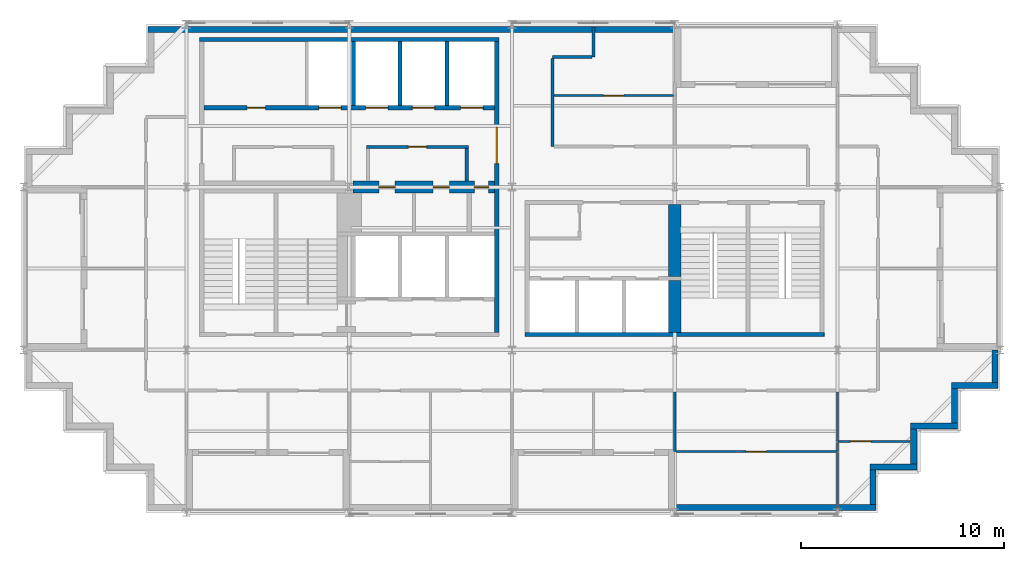
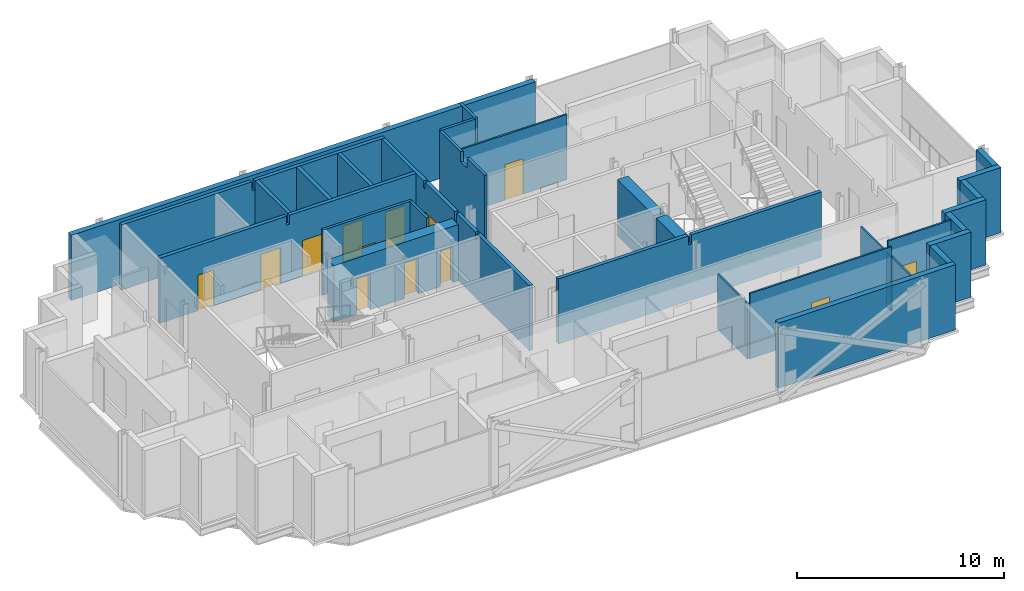
# One storey, part 6 of 9: 31 walls, 13 doors, 13 openings.
"""IFC4 building model written with IfcOpenShell, lengths in metres."""

from ifc_helpers import new_model, si_unit, direction, frame, frame_2d, origin, place, context, subcontext, project, spatial, polyline, rectangle, outline, extrude, material, layer, layer_set, type_object, element, fill, save


model = new_model("IFC4")

# Units and contexts
model_context = context("Model", 3, precision=1e-05, world=origin(), true_north=direction((0.0, 1.0)))
body_context = subcontext(model_context, "Body", "Model", "MODEL_VIEW")
ifc_project = project(units=[si_unit("LENGTHUNIT", "METRE"), si_unit("AREAUNIT", "SQUARE_METRE"), si_unit("VOLUMEUNIT", "CUBIC_METRE"), si_unit("PLANEANGLEUNIT", "RADIAN"), si_unit("MASSUNIT", "GRAM", prefix="KILO")], contexts=[model_context])

# Site, building, storey
site_placement = place(None, origin())
site = spatial("IfcSite", under=ifc_project, at=site_placement, CompositionType="ELEMENT")
building_placement = place(site_placement, origin())
building = spatial("IfcBuilding", under=site, at=building_placement, Name="Immortelle Media Tower", CompositionType="ELEMENT")
storey_placement = place(building_placement, frame((0.0, 0.0, 287.0)))
storey = spatial("IfcBuildingStorey", under=building, at=storey_placement, Name="L63", CompositionType="ELEMENT", Elevation=287.0)

# Wall, openings, doors
ifc_material_1 = material(Name="Fire-rated masonry blockwork", Category="masonry")
ifc_layer_1 = layer(ifc_material_1, 0.60009765625)
ifc_layer_set_1 = layer_set([ifc_layer_1], Name="Fire-rated masonry blockwork")
wall_type_1 = type_object("IfcWallType", Name="Core grid-line wall 600", PredefinedType="PARTITIONING", material=ifc_layer_set_1)
wall_1_placement = place(storey_placement, frame((16.19140625, 16.0, 0.0), z_axis=(0.0, 0.0, 1.0), x_axis=(1.0, 0.0, 0.0)))
wall_1 = element("IfcWall", 1, at=wall_1_placement, inside=storey, type_object=wall_type_1, Name="Core grid-line wall SW", PredefinedType="PARTITIONING", context=body_context, shape_type="SweptSolid", body=[
    extrude(rectangle(XDim=6.95849609375, YDim=0.60009765625, at=frame_2d((3.479248046875, 0.0))), origin(), (0.0, 0.0, 1.0), 3.318115234375),
])
opening_1_placement = place(wall_1_placement, frame((2.05859375, 0.0, 0.0), z_axis=(0.0, 0.0, 1.0), x_axis=(-1.0, 0.0, 0.0)))
opening_1 = element("IfcOpeningElement", 2, at=opening_1_placement, cuts=wall_1, Name="Opening X5-K010", PredefinedType="OPENING", context=body_context, shape_type="SweptSolid", body=[
    extrude(rectangle(XDim=0.800048828125, YDim=2.10009765625, at=frame_2d((0.39990234375, 1.050048828125))), frame((0.0, 0.31005859375, 0.0), z_axis=(0.0, -1.0, 0.0), x_axis=(1.0, 0.0, 0.0)), (0.0, 0.0, 1.0), 0.6201171875),
])
opening_2_placement = place(wall_1_placement, frame((4.733642578125, 0.0, 0.0), z_axis=(0.0, 0.0, 1.0), x_axis=(-1.0, 0.0, 0.0)))
opening_2 = element("IfcOpeningElement", 3, at=opening_2_placement, cuts=wall_1, Name="Opening X5-K015", PredefinedType="OPENING", context=body_context, shape_type="SweptSolid", body=[
    extrude(rectangle(XDim=0.800048828125, YDim=2.10009765625, at=frame_2d((0.39990234375, 1.050048828125))), frame((0.0, 0.31005859375, 0.0), z_axis=(0.0, -1.0, 0.0), x_axis=(1.0, 0.0, 0.0)), (0.0, 0.0, 1.0), 0.6201171875),
])
opening_3_placement = place(wall_1_placement, frame((6.658447265625, 0.0, 0.0), z_axis=(0.0, 0.0, 1.0), x_axis=(-1.0, 0.0, 0.0)))
opening_3 = element("IfcOpeningElement", 4, at=opening_3_placement, cuts=wall_1, Name="Opening X5-K018", PredefinedType="OPENING", context=body_context, shape_type="SweptSolid", body=[
    extrude(rectangle(XDim=0.699951171875, YDim=2.10009765625, at=frame_2d((0.35009765625, 1.050048828125))), frame((0.0, 0.31005859375, 0.0), z_axis=(0.0, -1.0, 0.0), x_axis=(1.0, 0.0, 0.0)), (0.0, 0.0, 1.0), 0.6201171875),
])
ifc_material_2 = material(Name="Galvanised steel door leaf and frame ASTM A653", Category="steel")
door_type_1 = type_object("IfcDoorType", Name="Service door 700 x 2100", OperationType="NOTDEFINED", PredefinedType="NOTDEFINED", material=ifc_material_2)
door_1_placement = place(opening_3_placement, origin())
door_1 = element("IfcDoor", 5, at=door_1_placement, inside=storey, type_object=door_type_1, Name="Service X5-K018", OperationType="SINGLE_SWING_RIGHT", OverallHeight=2.10009765625, OverallWidth=0.699951171875, PredefinedType="NOTDEFINED", context=body_context, shape_type="SweptSolid", body=[
    extrude(rectangle(XDim=0.699951171875, YDim=2.10009765625, at=frame_2d((0.35009765625, 1.050048828125))), frame((0.0, 0.02490234375, 0.0), z_axis=(0.0, -1.0, 0.0), x_axis=(1.0, 0.0, 0.0)), (0.0, 0.0, 1.0), 0.050048828125),
])
fill(opening_3, door_1)
ifc_material_3 = material(Name="Timber", Category="wood")
door_type_2 = type_object("IfcDoorType", Name="Toilet door 800 x 2100", OperationType="NOTDEFINED", PredefinedType="NOTDEFINED", material=ifc_material_3)
door_2_placement = place(opening_1_placement, origin())
door_2 = element("IfcDoor", 6, at=door_2_placement, inside=storey, type_object=door_type_2, Name="Toilet X5-K010", OperationType="SINGLE_SWING_LEFT", OverallHeight=2.10009765625, OverallWidth=0.800048828125, PredefinedType="NOTDEFINED", context=body_context, shape_type="SweptSolid", body=[
    extrude(rectangle(XDim=0.800048828125, YDim=2.10009765625, at=frame_2d((0.39990234375, 1.050048828125))), frame((0.0, 0.02490234375, 0.0), z_axis=(0.0, -1.0, 0.0), x_axis=(1.0, 0.0, 0.0)), (0.0, 0.0, 1.0), 0.050048828125),
])
fill(opening_1, door_2)
door_3_placement = place(opening_2_placement, origin())
door_3 = element("IfcDoor", 7, at=door_3_placement, inside=storey, type_object=door_type_2, Name="Toilet X5-K015", OperationType="SINGLE_SWING_RIGHT", OverallHeight=2.10009765625, OverallWidth=0.800048828125, PredefinedType="NOTDEFINED", context=body_context, shape_type="SweptSolid", body=[
    extrude(rectangle(XDim=0.800048828125, YDim=2.10009765625, at=frame_2d((0.39990234375, 1.050048828125))), frame((0.0, 0.02490234375, 0.0), z_axis=(0.0, -1.0, 0.0), x_axis=(1.0, 0.0, 0.0)), (0.0, 0.0, 1.0), 0.050048828125),
])
fill(opening_2, door_3)

# Wall, opening, door
ifc_material_4 = material(Name="Fire-rated gypsum board", Category="gypsum")
ifc_layer_2 = layer(ifc_material_4, 0.02490234375)
ifc_material_5 = material(Name="Steel ASTM A653 SS Gr 50 stud frame with mineral wool", Category="steel")
ifc_layer_3 = layer(ifc_material_5, 0.10009765625)
ifc_layer_4 = layer(ifc_material_4, 0.02490234375)
ifc_layer_set_2 = layer_set([ifc_layer_2, ifc_layer_3, ifc_layer_4], Name="Steel ASTM A653 SS Gr 50 stud frame with mineral wool")
wall_type_2 = type_object("IfcWallType", Name="Core partition 150", PredefinedType="PARTITIONING", material=ifc_layer_set_2)
wall_2_placement = place(storey_placement, frame((16.85009765625, 17.97509765625, 0.0), z_axis=(0.0, 0.0, 1.0), x_axis=(1.0, 0.0, 0.0)))
wall_2 = element("IfcWall", 8, at=wall_2_placement, inside=storey, type_object=wall_type_2, Name="Core partition SW", PredefinedType="PARTITIONING", context=body_context, shape_type="SweptSolid", body=[
    extrude(rectangle(XDim=5.0, YDim=0.14990234375, at=frame_2d((2.5, 0.0))), origin(), (0.0, 0.0, 1.0), 3.85009765625),
])
opening_4_placement = place(wall_2_placement, frame((2.949951171875, 0.0, 0.0), z_axis=(0.0, 0.0, 1.0), x_axis=(-1.0, 0.0, 0.0)))
opening_4 = element("IfcOpeningElement", 9, at=opening_4_placement, cuts=wall_2, Name="Opening X5-K011", PredefinedType="OPENING", context=body_context, shape_type="SweptSolid", body=[
    extrude(rectangle(XDim=0.89990234375, YDim=2.10009765625, at=frame_2d((0.449951171875, 1.050048828125))), frame((0.0, 0.0849609375, 0.0), z_axis=(0.0, -1.0, 0.0), x_axis=(1.0, 0.0, 0.0)), (0.0, 0.0, 1.0), 0.169921875),
])
door_type_3 = type_object("IfcDoorType", Name="Room door 900 x 2100", OperationType="NOTDEFINED", PredefinedType="NOTDEFINED", material=ifc_material_3)
door_4_placement = place(opening_4_placement, origin())
door_4 = element("IfcDoor", 10, at=door_4_placement, inside=storey, type_object=door_type_3, Name="Room X5-K011", OperationType="SINGLE_SWING_RIGHT", OverallHeight=2.10009765625, OverallWidth=0.89990234375, PredefinedType="NOTDEFINED", context=body_context, shape_type="SweptSolid", body=[
    extrude(rectangle(XDim=0.89990234375, YDim=2.10009765625, at=frame_2d((0.449951171875, 1.050048828125))), frame((0.0, 0.02490234375, 0.0), z_axis=(0.0, -1.0, 0.0), x_axis=(1.0, 0.0, 0.0)), (0.0, 0.0, 1.0), 0.050048828125),
])
fill(opening_4, door_4)

# Walls
wall_3_placement = place(storey_placement, frame((21.77490234375, 16.300048828125, 0.0), z_axis=(0.0, 0.0, 1.0), x_axis=(0.0, 1.0, 0.0)))
element("IfcWall", 11, at=wall_3_placement, inside=storey, type_object=wall_type_2, Name="Core partition SW", PredefinedType="PARTITIONING", context=body_context, shape_type="SweptSolid", body=[
    extrude(rectangle(XDim=1.599853515625, YDim=0.14990234375, at=frame_2d((0.7998046875, 0.0))), origin(), (0.0, 0.0, 1.0), 3.85009765625),
])
ifc_layer_5 = layer(ifc_material_4, 0.03759765625)
ifc_layer_6 = layer(ifc_material_5, 0.125)
ifc_layer_7 = layer(ifc_material_4, 0.03759765625)
ifc_layer_set_3 = layer_set([ifc_layer_5, ifc_layer_6, ifc_layer_7], Name="Steel ASTM A653 SS Gr 50 stud frame with mineral wool")
wall_type_3 = type_object("IfcWallType", Name="Core shaft wall 200", PredefinedType="PARTITIONING", material=ifc_layer_set_3)
wall_4_placement = place(storey_placement, frame((8.64990234375, 23.25, 0.0), z_axis=(0.0, 0.0, 1.0), x_axis=(1.0, 0.0, 0.0)))
element("IfcWall", 12, at=wall_4_placement, inside=storey, type_object=wall_type_3, Name="Core shaft wall SW", PredefinedType="PARTITIONING", context=body_context, shape_type="SweptSolid", body=[
    extrude(outline(polyline([(0.0, 0.0), (14.7001953125, 0.0), (14.699951171875, 3.85009765625), (7.4375, 3.85009765625), (7.4365234375, 3.318115234375), (7.263427734375, 3.318115234375), (7.262451171875, 3.85009765625), (0.0, 3.85009765625), (0.0, 0.0)])), frame((0.0, 0.10009765625, 0.0), z_axis=(0.0, -1.0, 0.0), x_axis=(1.0, 0.0, 0.0)), (0.0, 0.0, 1.0), 0.199951171875),
])

# Wall, openings, doors
wall_5_placement = place(storey_placement, frame((8.85009765625, 19.89990234375, 0.0), z_axis=(0.0, 0.0, 1.0), x_axis=(1.0, 0.0, 0.0)))
wall_5 = element("IfcWall", 13, at=wall_5_placement, inside=storey, type_object=wall_type_3, Name="Core shaft wall SW", PredefinedType="PARTITIONING", context=body_context, shape_type="SweptSolid", body=[
    extrude(outline(polyline([(0.0, 0.0), (14.2998046875, 0.0), (14.300048828125, 3.85009765625), (7.237548828125, 3.85009765625), (7.236572265625, 3.318115234375), (7.0634765625, 3.318115234375), (7.0625, 3.85009765625), (0.0, 3.85009765625), (0.0, 0.0)])), frame((0.0, 0.10009765625, 0.0), z_axis=(0.0, -1.0, 0.0), x_axis=(1.0, 0.0, 0.0)), (0.0, 0.0, 1.0), 0.199951171875),
])
opening_5_placement = place(wall_5_placement, frame((2.125, 0.0, 0.0)))
opening_5 = element("IfcOpeningElement", 14, at=opening_5_placement, cuts=wall_5, Name="Opening X5-K003", PredefinedType="OPENING", context=body_context, shape_type="SweptSolid", body=[
    extrude(rectangle(XDim=0.89990234375, YDim=2.10009765625, at=frame_2d((0.449951171875, 1.050048828125))), frame((0.0, 0.10986328125, 0.0), z_axis=(0.0, -1.0, 0.0), x_axis=(1.0, 0.0, 0.0)), (0.0, 0.0, 1.0), 0.219970703125),
])
opening_6_placement = place(wall_5_placement, frame((5.64990234375, 0.0, 0.0)))
opening_6 = element("IfcOpeningElement", 15, at=opening_6_placement, cuts=wall_5, Name="Opening LD", PredefinedType="OPENING", context=body_context, shape_type="SweptSolid", body=[
    extrude(rectangle(XDim=1.10009765625, YDim=2.10009765625, at=frame_2d((0.550048828125, 1.050048828125))), frame((0.0, 0.10986328125, 0.0), z_axis=(0.0, -1.0, 0.0), x_axis=(1.0, 0.0, 0.0)), (0.0, 0.0, 1.0), 0.219970703125),
])
opening_7_placement = place(wall_5_placement, frame((7.949951171875, 0.0, 0.0)))
opening_7 = element("IfcOpeningElement", 16, at=opening_7_placement, cuts=wall_5, Name="Opening LD", PredefinedType="OPENING", context=body_context, shape_type="SweptSolid", body=[
    extrude(rectangle(XDim=1.10009765625, YDim=2.10009765625, at=frame_2d((0.550048828125, 1.050048828125))), frame((0.0, 0.10986328125, 0.0), z_axis=(0.0, -1.0, 0.0), x_axis=(1.0, 0.0, 0.0)), (0.0, 0.0, 1.0), 0.219970703125),
])
opening_8_placement = place(wall_5_placement, frame((10.25, 0.0, 0.0)))
opening_8 = element("IfcOpeningElement", 17, at=opening_8_placement, cuts=wall_5, Name="Opening LD", PredefinedType="OPENING", context=body_context, shape_type="SweptSolid", body=[
    extrude(rectangle(XDim=1.10009765625, YDim=2.10009765625, at=frame_2d((0.550048828125, 1.050048828125))), frame((0.0, 0.10986328125, 0.0), z_axis=(0.0, -1.0, 0.0), x_axis=(1.0, 0.0, 0.0)), (0.0, 0.0, 1.0), 0.219970703125),
])
opening_9_placement = place(wall_5_placement, frame((12.625, 0.0, 0.0)))
opening_9 = element("IfcOpeningElement", 18, at=opening_9_placement, cuts=wall_5, Name="Opening LD", PredefinedType="OPENING", context=body_context, shape_type="SweptSolid", body=[
    extrude(rectangle(XDim=1.10009765625, YDim=2.10009765625, at=frame_2d((0.550048828125, 1.050048828125))), frame((0.0, 0.10986328125, 0.0), z_axis=(0.0, -1.0, 0.0), x_axis=(1.0, 0.0, 0.0)), (0.0, 0.0, 1.0), 0.219970703125),
])
ifc_material_6 = material(Name="Stainless steel AISI 304", Category="steel")
door_type_4 = type_object("IfcDoorType", Name="Landing door 1100 x 2100", OperationType="SLIDING_TO_LEFT", PredefinedType="NOTDEFINED", material=ifc_material_6)
door_5_placement = place(opening_6_placement, origin())
door_5 = element("IfcDoor", 19, at=door_5_placement, inside=storey, type_object=door_type_4, Name="Landing door HR1 L63", OperationType="SLIDING_TO_LEFT", OverallHeight=2.10009765625, OverallWidth=1.10009765625, PredefinedType="NOTDEFINED", context=body_context, shape_type="SweptSolid", body=[
    extrude(rectangle(XDim=1.10009765625, YDim=2.10009765625, at=frame_2d((0.550048828125, 1.050048828125))), frame((0.0, 0.02490234375, 0.0), z_axis=(0.0, -1.0, 0.0), x_axis=(1.0, 0.0, 0.0)), (0.0, 0.0, 1.0), 0.050048828125),
])
fill(opening_6, door_5)
door_6_placement = place(opening_7_placement, origin())
door_6 = element("IfcDoor", 20, at=door_6_placement, inside=storey, type_object=door_type_4, Name="Landing door HR2 L63", OperationType="SLIDING_TO_LEFT", OverallHeight=2.10009765625, OverallWidth=1.10009765625, PredefinedType="NOTDEFINED", context=body_context, shape_type="SweptSolid", body=[
    extrude(rectangle(XDim=1.10009765625, YDim=2.10009765625, at=frame_2d((0.550048828125, 1.050048828125))), frame((0.0, 0.02490234375, 0.0), z_axis=(0.0, -1.0, 0.0), x_axis=(1.0, 0.0, 0.0)), (0.0, 0.0, 1.0), 0.050048828125),
])
fill(opening_7, door_6)
door_7_placement = place(opening_8_placement, origin())
door_7 = element("IfcDoor", 21, at=door_7_placement, inside=storey, type_object=door_type_4, Name="Landing door HR3 L63", OperationType="SLIDING_TO_LEFT", OverallHeight=2.10009765625, OverallWidth=1.10009765625, PredefinedType="NOTDEFINED", context=body_context, shape_type="SweptSolid", body=[
    extrude(rectangle(XDim=1.10009765625, YDim=2.10009765625, at=frame_2d((0.550048828125, 1.050048828125))), frame((0.0, 0.02490234375, 0.0), z_axis=(0.0, -1.0, 0.0), x_axis=(1.0, 0.0, 0.0)), (0.0, 0.0, 1.0), 0.050048828125),
])
fill(opening_8, door_7)
door_8_placement = place(opening_9_placement, origin())
door_8 = element("IfcDoor", 22, at=door_8_placement, inside=storey, type_object=door_type_4, Name="Landing door HR4 L63", OperationType="SLIDING_TO_LEFT", OverallHeight=2.10009765625, OverallWidth=1.10009765625, PredefinedType="NOTDEFINED", context=body_context, shape_type="SweptSolid", body=[
    extrude(rectangle(XDim=1.10009765625, YDim=2.10009765625, at=frame_2d((0.550048828125, 1.050048828125))), frame((0.0, 0.02490234375, 0.0), z_axis=(0.0, -1.0, 0.0), x_axis=(1.0, 0.0, 0.0)), (0.0, 0.0, 1.0), 0.050048828125),
])
fill(opening_9, door_8)
door_9_placement = place(opening_5_placement, origin())
door_9 = element("IfcDoor", 23, at=door_9_placement, inside=storey, type_object=door_type_3, Name="Room X5-K003", OperationType="SINGLE_SWING_RIGHT", OverallHeight=2.10009765625, OverallWidth=0.89990234375, PredefinedType="NOTDEFINED", context=body_context, shape_type="SweptSolid", body=[
    extrude(rectangle(XDim=0.89990234375, YDim=2.10009765625, at=frame_2d((0.449951171875, 1.050048828125))), frame((0.0, 0.02490234375, 0.0), z_axis=(0.0, -1.0, 0.0), x_axis=(1.0, 0.0, 0.0)), (0.0, 0.0, 1.0), 0.050048828125),
])
fill(opening_5, door_9)

# Walls
for number, where, z_axis, x_axis, name in (
    (24, (16.199951171875, 20.0, 0.0), (0.0, 0.0, 1.0), (0.0, 1.0, 0.0), "Core shaft wall SW"),
    (25, (18.5, 20.0, 0.0), (0.0, 0.0, 1.0), (0.0, 1.0, 0.0), "Core shaft wall SW"),
    (26, (20.800048828125, 20.0, 0.0), (0.0, 0.0, 1.0), (0.0, 1.0, 0.0), "Core shaft wall SW"),
):
    element("IfcWall", number, at=place(storey_placement, frame(where, z_axis=z_axis, x_axis=x_axis)), inside=storey, type_object=wall_type_3, Name=name, PredefinedType="PARTITIONING", context=body_context, shape_type="SweptSolid", body=[
        extrude(rectangle(XDim=3.14990234375, YDim=0.199951171875, at=frame_2d((1.574951171875, 0.0))), origin(), (0.0, 0.0, 1.0), 3.85009765625),
    ])

# Wall, opening, door
wall_6_placement = place(storey_placement, frame((23.25, 8.85009765625, 0.0), z_axis=(0.0, 0.0, 1.0), x_axis=(0.0, 1.0, 0.0)))
wall_6 = element("IfcWall", 27, at=wall_6_placement, inside=storey, type_object=wall_type_3, Name="Core shaft wall SW", PredefinedType="PARTITIONING", context=body_context, shape_type="SweptSolid", body=[
    extrude(outline(polyline([(0.0, 0.0), (14.2998046875, 0.0), (14.300048828125, 3.85009765625), (10.22509765625, 3.85009765625), (10.22412109375, 3.43994140625), (10.075927734375, 3.43994140625), (10.074951171875, 3.85009765625), (7.237548828125, 3.85009765625), (7.236572265625, 3.318115234375), (7.0634765625, 3.318115234375), (7.0625, 3.85009765625), (5.22509765625, 3.85009765625), (5.22412109375, 3.43994140625), (5.075927734375, 3.43994140625), (5.074951171875, 3.85009765625), (0.0, 3.85009765625), (0.0, 0.0)])), frame((0.0, 0.10009765625, 0.0), z_axis=(0.0, -1.0, 0.0), x_axis=(1.0, 0.0, 0.0)), (0.0, 0.0, 1.0), 0.199951171875),
])
opening_10_placement = place(wall_6_placement, frame((8.300048828125, 0.0, 0.0)))
opening_10 = element("IfcOpeningElement", 28, at=opening_10_placement, cuts=wall_6, Name="Opening X5-K019", PredefinedType="OPENING", context=body_context, shape_type="SweptSolid", body=[
    extrude(rectangle(XDim=1.800048828125, YDim=2.10009765625, at=frame_2d((0.89990234375, 1.050048828125))), frame((0.0, 0.10986328125, 0.0), z_axis=(0.0, -1.0, 0.0), x_axis=(1.0, 0.0, 0.0)), (0.0, 0.0, 1.0), 0.219970703125),
])
door_type_5 = type_object("IfcDoorType", Name="Lift lobby door 1800 x 2100", OperationType="DOUBLE_DOOR_SINGLE_SWING", PredefinedType="NOTDEFINED", material=ifc_material_2)
door_10_placement = place(opening_10_placement, origin())
door_10 = element("IfcDoor", 29, at=door_10_placement, inside=storey, type_object=door_type_5, Name="Lift lobby X5-K019", OperationType="DOUBLE_DOOR_SINGLE_SWING", OverallHeight=2.10009765625, OverallWidth=1.800048828125, PredefinedType="NOTDEFINED", context=body_context, shape_type="SweptSolid", body=[
    extrude(rectangle(XDim=1.800048828125, YDim=2.10009765625, at=frame_2d((0.89990234375, 1.050048828125))), frame((0.0, 0.02490234375, 0.0), z_axis=(0.0, -1.0, 0.0), x_axis=(1.0, 0.0, 0.0)), (0.0, 0.0, 1.0), 0.050048828125),
])
fill(opening_10, door_10)

# Walls
ifc_layer_8 = layer(ifc_material_4, 0.012451171875)
ifc_layer_9 = layer(ifc_material_5, 0.125)
ifc_layer_10 = layer(ifc_material_4, 0.012451171875)
ifc_layer_set_4 = layer_set([ifc_layer_8, ifc_layer_9, ifc_layer_10], Name="Steel ASTM A653 SS Gr 50 stud frame with mineral wool")
wall_type_4 = type_object("IfcWallType", Name="Corridor wall 150", PredefinedType="PARTITIONING", material=ifc_layer_set_4)
wall_7_placement = place(storey_placement, frame((26.0, 18.0, 0.0), z_axis=(0.0, 0.0, 1.0), x_axis=(0.0, 1.0, 0.0)))
element("IfcWall", 30, at=wall_7_placement, inside=storey, type_object=wall_type_4, Name="Partition L63-027", PredefinedType="PARTITIONING", context=body_context, shape_type="SweptSolid", body=[
    extrude(outline(polyline([(0.0, 0.0), (4.324951171875, 0.0), (4.324951171875, 3.85009765625), (2.300048828125, 3.85009765625), (2.298095703125, 3.238037109375), (1.701904296875, 3.238037109375), (1.699951171875, 3.85009765625), (0.0, 3.85009765625), (0.0, 0.0)])), frame((0.0, 0.074951171875, 0.0), z_axis=(0.0, -1.0, 0.0), x_axis=(1.0, 0.0, 0.0)), (0.0, 0.0, 1.0), 0.14990234375),
])
wall_8_placement = place(storey_placement, frame((26.0, 22.39990234375, 0.0), z_axis=(0.0, 0.0, 1.0), x_axis=(1.0, 0.0, 0.0)))
element("IfcWall", 31, at=wall_8_placement, inside=storey, type_object=wall_type_4, Name="Partition L63-036", PredefinedType="PARTITIONING", context=body_context, shape_type="SweptSolid", body=[
    extrude(rectangle(XDim=1.925048828125, YDim=0.14990234375, at=frame_2d((0.96240234375, 0.0))), origin(), (0.0, 0.0, 1.0), 3.85009765625),
])
wall_9_placement = place(storey_placement, frame((28.0, 22.39990234375, 0.0), z_axis=(0.0, 0.0, 1.0), x_axis=(0.0, 1.0, 0.0)))
element("IfcWall", 32, at=wall_9_placement, inside=storey, type_object=wall_type_4, Name="Partition L63-037", PredefinedType="PARTITIONING", context=body_context, shape_type="SweptSolid", body=[
    extrude(rectangle(XDim=1.47021484375, YDim=0.14990234375, at=frame_2d((0.735107421875, 0.0))), origin(), (0.0, 0.0, 1.0), 3.85009765625),
])
ifc_material_7 = material(Name="Pale aluminium cladding panel", Category="aluminium")
ifc_layer_11 = layer(ifc_material_7, 0.030029296875)
ifc_layer_12 = layer(ifc_material_5, 0.257568359375)
ifc_material_8 = material(Name="Moisture-resistant gypsum board", Category="gypsum")
ifc_layer_13 = layer(ifc_material_8, 0.012451171875)
ifc_layer_set_5 = layer_set([ifc_layer_11, ifc_layer_12, ifc_layer_13], Name="Steel ASTM A653 SS Gr 50 stud frame with mineral wool")
wall_type_5 = type_object("IfcWallType", Name="Facade wall 300", PredefinedType="SOLIDWALL", material=ifc_layer_set_5)
wall_10_placement = place(storey_placement, frame((32.0, 0.25, 0.0), z_axis=(0.0, 0.0, 1.0), x_axis=(1.0, 0.0, 0.0)))
element("IfcWall", 33, at=wall_10_placement, inside=storey, type_object=wall_type_5, Name="Facade wall L63 S6", PredefinedType="SOLIDWALL", context=body_context, shape_type="SweptSolid", body=[
    extrude(rectangle(XDim=9.89990234375, YDim=0.300048828125, at=frame_2d((4.949951171875, 0.0))), origin(), (0.0, 0.0, 1.0), 3.85009765625),
])
wall_11_placement = place(storey_placement, frame((41.75, 0.39990234375, 0.0), z_axis=(0.0, 0.0, 1.0), x_axis=(0.0, 1.0, 0.0)))
element("IfcWall", 34, at=wall_11_placement, inside=storey, type_object=wall_type_5, Name="Facade wall L63 E7", PredefinedType="SOLIDWALL", context=body_context, shape_type="SweptSolid", body=[
    extrude(rectangle(XDim=1.7001953125, YDim=0.300048828125, at=frame_2d((0.85009765625, 0.0))), origin(), (0.0, 0.0, 1.0), 3.85009765625),
])
wall_12_placement = place(storey_placement, frame((41.60009765625, 2.25, 0.0), z_axis=(0.0, 0.0, 1.0), x_axis=(1.0, 0.0, 0.0)))
element("IfcWall", 35, at=wall_12_placement, inside=storey, type_object=wall_type_5, Name="Facade wall L63 S8", PredefinedType="SOLIDWALL", context=body_context, shape_type="SweptSolid", body=[
    extrude(rectangle(XDim=2.2998046875, YDim=0.300048828125, at=frame_2d((1.14990234375, 0.0))), origin(), (0.0, 0.0, 1.0), 3.85009765625),
])
wall_13_placement = place(storey_placement, frame((43.75, 2.39990234375, 0.0), z_axis=(0.0, 0.0, 1.0), x_axis=(0.0, 1.0, 0.0)))
element("IfcWall", 36, at=wall_13_placement, inside=storey, type_object=wall_type_5, Name="Facade wall L63 E9", PredefinedType="SOLIDWALL", context=body_context, shape_type="SweptSolid", body=[
    extrude(rectangle(XDim=1.7001953125, YDim=0.300048828125, at=frame_2d((0.85009765625, 0.0))), origin(), (0.0, 0.0, 1.0), 3.85009765625),
])
wall_14_placement = place(storey_placement, frame((43.60009765625, 4.25, 0.0), z_axis=(0.0, 0.0, 1.0), x_axis=(1.0, 0.0, 0.0)))
element("IfcWall", 37, at=wall_14_placement, inside=storey, type_object=wall_type_5, Name="Facade wall L63 S10", PredefinedType="SOLIDWALL", context=body_context, shape_type="SweptSolid", body=[
    extrude(rectangle(XDim=2.2998046875, YDim=0.300048828125, at=frame_2d((1.14990234375, 0.0))), origin(), (0.0, 0.0, 1.0), 3.85009765625),
])
wall_15_placement = place(storey_placement, frame((45.75, 4.39990234375, 0.0), z_axis=(0.0, 0.0, 1.0), x_axis=(0.0, 1.0, 0.0)))
element("IfcWall", 38, at=wall_15_placement, inside=storey, type_object=wall_type_5, Name="Facade wall L63 E11", PredefinedType="SOLIDWALL", context=body_context, shape_type="SweptSolid", body=[
    extrude(rectangle(XDim=1.7001953125, YDim=0.300048828125, at=frame_2d((0.85009765625, 0.0))), origin(), (0.0, 0.0, 1.0), 3.85009765625),
])
wall_16_placement = place(storey_placement, frame((45.60009765625, 6.25, 0.0), z_axis=(0.0, 0.0, 1.0), x_axis=(1.0, 0.0, 0.0)))
element("IfcWall", 39, at=wall_16_placement, inside=storey, type_object=wall_type_5, Name="Facade wall L63 S12", PredefinedType="SOLIDWALL", context=body_context, shape_type="SweptSolid", body=[
    extrude(rectangle(XDim=2.2998046875, YDim=0.300048828125, at=frame_2d((1.14990234375, 0.0))), origin(), (0.0, 0.0, 1.0), 3.85009765625),
])
wall_17_placement = place(storey_placement, frame((47.75, 6.39990234375, 0.0), z_axis=(0.0, 0.0, 1.0), x_axis=(0.0, 1.0, 0.0)))
element("IfcWall", 40, at=wall_17_placement, inside=storey, type_object=wall_type_5, Name="Facade wall L63 E13", PredefinedType="SOLIDWALL", context=body_context, shape_type="SweptSolid", body=[
    extrude(rectangle(XDim=1.60009765625, YDim=0.300048828125, at=frame_2d((0.800048828125, 0.0))), origin(), (0.0, 0.0, 1.0), 3.85009765625),
])
wall_18_placement = place(storey_placement, frame((32.0, 23.75, 0.0), z_axis=(0.0, 0.0, 1.0), x_axis=(-1.0, 0.0, 0.0)))
element("IfcWall", 41, at=wall_18_placement, inside=storey, type_object=wall_type_5, Name="Facade wall L63 N20", PredefinedType="SOLIDWALL", context=body_context, shape_type="SweptSolid", body=[
    extrude(rectangle(XDim=25.89990234375, YDim=0.300048828125, at=frame_2d((12.949951171875, 0.0))), origin(), (0.0, 0.0, 1.0), 3.85009765625),
])
ifc_material_9 = material(Name="Gypsum board", Category="gypsum")
ifc_layer_14 = layer(ifc_material_9, 0.012451171875)
ifc_layer_15 = layer(ifc_material_5, 0.074951171875)
ifc_layer_16 = layer(ifc_material_9, 0.012451171875)
ifc_layer_set_6 = layer_set([ifc_layer_14, ifc_layer_15, ifc_layer_16], Name="Steel ASTM A653 SS Gr 50 stud frame with mineral wool")
wall_type_6 = type_object("IfcWallType", Name="Partition 100", PredefinedType="PARTITIONING", material=ifc_layer_set_6)
wall_19_placement = place(storey_placement, frame((40.0, 0.1298828125, 0.0), z_axis=(0.0, 0.0, 1.0), x_axis=(0.0, 1.0, 0.0)))
element("IfcWall", 42, at=wall_19_placement, inside=storey, type_object=wall_type_6, Name="Partition L63-002", PredefinedType="PARTITIONING", context=body_context, shape_type="SweptSolid", body=[
    extrude(rectangle(XDim=2.820068359375, YDim=0.10009765625, at=frame_2d((1.41015625, 0.0))), origin(), (0.0, 0.0, 1.0), 3.238037109375),
])

# Wall, opening, door
wall_20_placement = place(storey_placement, frame((32.050048828125, 3.0, 0.0), z_axis=(0.0, 0.0, 1.0), x_axis=(1.0, 0.0, 0.0)))
wall_20 = element("IfcWall", 43, at=wall_20_placement, inside=storey, type_object=wall_type_6, Name="Partition L63-010", PredefinedType="PARTITIONING", context=body_context, shape_type="SweptSolid", body=[
    extrude(rectangle(XDim=7.89990234375, YDim=0.10009765625, at=frame_2d((3.949951171875, 0.0))), origin(), (0.0, 0.0, 1.0), 3.85009765625),
])
opening_11_placement = place(wall_20_placement, frame((4.449951171875, 0.0, 0.0), z_axis=(0.0, 0.0, 1.0), x_axis=(-1.0, 0.0, 0.0)))
opening_11 = element("IfcOpeningElement", 44, at=opening_11_placement, cuts=wall_20, Name="Opening X5-F005", PredefinedType="OPENING", context=body_context, shape_type="SweptSolid", body=[
    extrude(rectangle(XDim=1.0, YDim=2.10009765625, at=frame_2d((0.5, 1.050048828125))), frame((0.0, 0.06005859375, 0.0), z_axis=(0.0, -1.0, 0.0), x_axis=(1.0, 0.0, 0.0)), (0.0, 0.0, 1.0), 0.1201171875),
])
ifc_material_10 = material(Name="Timber veneered door leaf, galvanised steel frame ASTM A653", Category="steel")
door_type_6 = type_object("IfcDoorType", Name="Room door 1000 x 2100", OperationType="NOTDEFINED", PredefinedType="DOOR", material=ifc_material_10)
door_11_placement = place(opening_11_placement, origin())
door_11 = element("IfcDoor", 45, at=door_11_placement, inside=storey, type_object=door_type_6, Name="Door X5-F005", OperationType="SINGLE_SWING_LEFT", OverallHeight=2.10009765625, OverallWidth=1.0, PredefinedType="DOOR", context=body_context, shape_type="SweptSolid", body=[
    extrude(rectangle(XDim=1.0, YDim=2.10009765625, at=frame_2d((0.5, 1.050048828125))), frame((0.0, 0.02490234375, 0.0), z_axis=(0.0, -1.0, 0.0), x_axis=(1.0, 0.0, 0.0)), (0.0, 0.0, 1.0), 0.050048828125),
])
fill(opening_11, door_11)

# Walls
wall_21_placement = place(storey_placement, frame((32.0, 3.0, 0.0), z_axis=(0.0, 0.0, 1.0), x_axis=(0.0, 1.0, 0.0)))
element("IfcWall", 46, at=wall_21_placement, inside=storey, type_object=wall_type_6, Name="Partition L63-011", PredefinedType="PARTITIONING", context=body_context, shape_type="SweptSolid", body=[
    extrude(rectangle(XDim=2.925048828125, YDim=0.10009765625, at=frame_2d((1.46240234375, 0.0))), origin(), (0.0, 0.0, 1.0), 3.238037109375),
])
wall_22_placement = place(storey_placement, frame((40.0, 3.0, 0.0), z_axis=(0.0, 0.0, 1.0), x_axis=(0.0, 1.0, 0.0)))
element("IfcWall", 47, at=wall_22_placement, inside=storey, type_object=wall_type_6, Name="Partition L63-012", PredefinedType="PARTITIONING", context=body_context, shape_type="SweptSolid", body=[
    extrude(rectangle(XDim=0.449951171875, YDim=0.10009765625, at=frame_2d((0.22509765625, 0.0))), origin(), (0.0, 0.0, 1.0), 3.238037109375),
])

# Wall, opening, door
wall_23_placement = place(storey_placement, frame((40.050048828125, 3.5, 0.0), z_axis=(0.0, 0.0, 1.0), x_axis=(1.0, 0.0, 0.0)))
wall_23 = element("IfcWall", 48, at=wall_23_placement, inside=storey, type_object=wall_type_6, Name="Partition L63-013", PredefinedType="PARTITIONING", context=body_context, shape_type="SweptSolid", body=[
    extrude(rectangle(XDim=3.52001953125, YDim=0.10009765625, at=frame_2d((1.760009765625, 0.0))), origin(), (0.0, 0.0, 1.0), 3.85009765625),
])
opening_12_placement = place(wall_23_placement, frame((1.60009765625, 0.0, 0.0), z_axis=(0.0, 0.0, 1.0), x_axis=(-1.0, 0.0, 0.0)))
opening_12 = element("IfcOpeningElement", 49, at=opening_12_placement, cuts=wall_23, Name="Opening X5-F007", PredefinedType="OPENING", context=body_context, shape_type="SweptSolid", body=[
    extrude(rectangle(XDim=1.0, YDim=2.10009765625, at=frame_2d((0.5, 1.050048828125))), frame((0.0, 0.06005859375, 0.0), z_axis=(0.0, -1.0, 0.0), x_axis=(1.0, 0.0, 0.0)), (0.0, 0.0, 1.0), 0.1201171875),
])
door_12_placement = place(opening_12_placement, origin())
door_12 = element("IfcDoor", 50, at=door_12_placement, inside=storey, type_object=door_type_6, Name="Door X5-F007", OperationType="SINGLE_SWING_RIGHT", OverallHeight=2.10009765625, OverallWidth=1.0, PredefinedType="DOOR", context=body_context, shape_type="SweptSolid", body=[
    extrude(rectangle(XDim=1.0, YDim=2.10009765625, at=frame_2d((0.5, 1.050048828125))), frame((0.0, 0.02490234375, 0.0), z_axis=(0.0, -1.0, 0.0), x_axis=(1.0, 0.0, 0.0)), (0.0, 0.0, 1.0), 0.050048828125),
])
fill(opening_12, door_12)

# Wall
wall_24_placement = place(storey_placement, frame((40.0, 3.5, 0.0), z_axis=(0.0, 0.0, 1.0), x_axis=(0.0, 1.0, 0.0)))
element("IfcWall", 51, at=wall_24_placement, inside=storey, type_object=wall_type_6, Name="Partition L63-014", PredefinedType="PARTITIONING", context=body_context, shape_type="SweptSolid", body=[
    extrude(rectangle(XDim=2.425048828125, YDim=0.10009765625, at=frame_2d((1.21240234375, 0.0))), origin(), (0.0, 0.0, 1.0), 3.238037109375),
])

# Wall, opening, door
wall_25_placement = place(storey_placement, frame((26.074951171875, 20.5, 0.0), z_axis=(0.0, 0.0, 1.0), x_axis=(1.0, 0.0, 0.0)))
wall_25 = element("IfcWall", 52, at=wall_25_placement, inside=storey, type_object=wall_type_6, Name="Partition L63-032", PredefinedType="PARTITIONING", context=body_context, shape_type="SweptSolid", body=[
    extrude(rectangle(XDim=5.875, YDim=0.10009765625, at=frame_2d((2.9375, 0.0))), origin(), (0.0, 0.0, 1.0), 3.85009765625),
])
opening_13_placement = place(wall_25_placement, frame((3.425048828125, 0.0, 0.0), z_axis=(0.0, 0.0, 1.0), x_axis=(-1.0, 0.0, 0.0)))
opening_13 = element("IfcOpeningElement", 53, at=opening_13_placement, cuts=wall_25, Name="Opening X5-F022", PredefinedType="OPENING", context=body_context, shape_type="SweptSolid", body=[
    extrude(rectangle(XDim=1.0, YDim=2.10009765625, at=frame_2d((0.5, 1.050048828125))), frame((0.0, 0.06005859375, 0.0), z_axis=(0.0, -1.0, 0.0), x_axis=(1.0, 0.0, 0.0)), (0.0, 0.0, 1.0), 0.1201171875),
])
door_13_placement = place(opening_13_placement, origin())
door_13 = element("IfcDoor", 54, at=door_13_placement, inside=storey, type_object=door_type_6, Name="Door X5-F022", OperationType="SINGLE_SWING_RIGHT", OverallHeight=2.10009765625, OverallWidth=1.0, PredefinedType="DOOR", context=body_context, shape_type="SweptSolid", body=[
    extrude(rectangle(XDim=1.0, YDim=2.10009765625, at=frame_2d((0.5, 1.050048828125))), frame((0.0, 0.02490234375, 0.0), z_axis=(0.0, -1.0, 0.0), x_axis=(1.0, 0.0, 0.0)), (0.0, 0.0, 1.0), 0.050048828125),
])
fill(opening_13, door_13)

# Walls
ifc_material_11 = material(Name="Concrete C60", Category="concrete")
ifc_layer_17 = layer(ifc_material_11, 0.199951171875)
ifc_layer_set_7 = layer_set([ifc_layer_17], Name="Concrete C60")
wall_type_7 = type_object("IfcWallType", Name="Stair shaft wall 200", PredefinedType="PARTITIONING", material=ifc_layer_set_7)
wall_26_placement = place(storey_placement, frame((24.64990234375, 8.75, 0.0), z_axis=(0.0, 0.0, 1.0), x_axis=(1.0, 0.0, 0.0)))
element("IfcWall", 55, at=wall_26_placement, inside=storey, type_object=wall_type_7, Name="Stair shaft wall SE", PredefinedType="PARTITIONING", context=body_context, shape_type="SweptSolid", body=[
    extrude(outline(polyline([(0.0, 0.0), (14.7001953125, 0.0), (14.699951171875, 3.85009765625), (7.4375, 3.85009765625), (7.4365234375, 3.318115234375), (7.263427734375, 3.318115234375), (7.262451171875, 3.85009765625), (0.0, 3.85009765625), (0.0, 0.0)])), frame((0.0, 0.10009765625, 0.0), z_axis=(0.0, -1.0, 0.0), x_axis=(1.0, 0.0, 0.0)), (0.0, 0.0, 1.0), 0.199951171875),
])
ifc_layer_18 = layer(ifc_material_11, 0.60009765625)
ifc_layer_set_8 = layer_set([ifc_layer_18], Name="Concrete C60")
wall_type_8 = type_object("IfcWallType", Name="Stair shaft wall 600", PredefinedType="PARTITIONING", material=ifc_layer_set_8)
wall_27_placement = place(storey_placement, frame((32.0, 8.85009765625, 0.0), z_axis=(0.0, 0.0, 1.0), x_axis=(0.0, 1.0, 0.0)))
element("IfcWall", 56, at=wall_27_placement, inside=storey, type_object=wall_type_8, Name="Stair shaft wall SE", PredefinedType="PARTITIONING", context=body_context, shape_type="SweptSolid", body=[
    extrude(rectangle(XDim=2.5498046875, YDim=0.60009765625, at=frame_2d((1.27490234375, 0.0))), origin(), (0.0, 0.0, 1.0), 3.318115234375),
])
wall_28_placement = place(storey_placement, frame((32.0, 11.60009765625, 0.0), z_axis=(0.0, 0.0, 1.0), x_axis=(0.0, 1.0, 0.0)))
element("IfcWall", 57, at=wall_28_placement, inside=storey, type_object=wall_type_8, Name="Stair shaft wall SE", PredefinedType="PARTITIONING", context=body_context, shape_type="SweptSolid", body=[
    extrude(rectangle(XDim=3.5498046875, YDim=0.60009765625, at=frame_2d((1.77490234375, 0.0))), origin(), (0.0, 0.0, 1.0), 3.318115234375),
])

save(model, "model.ifc")
